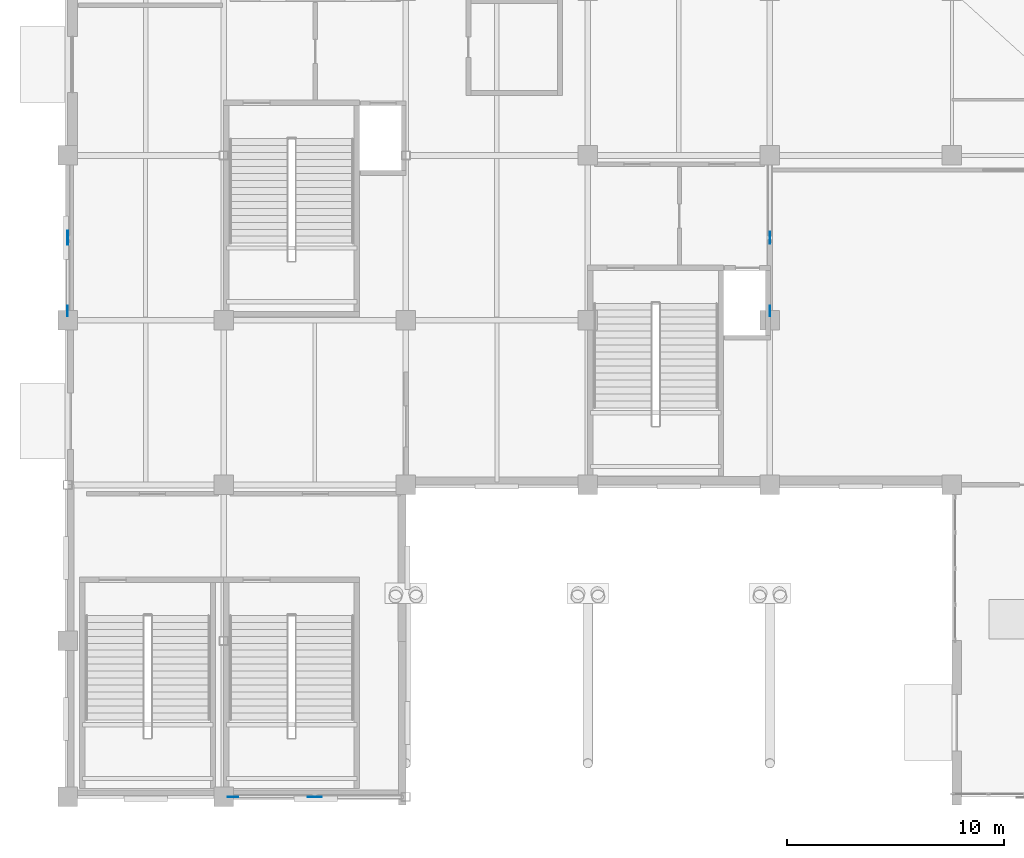
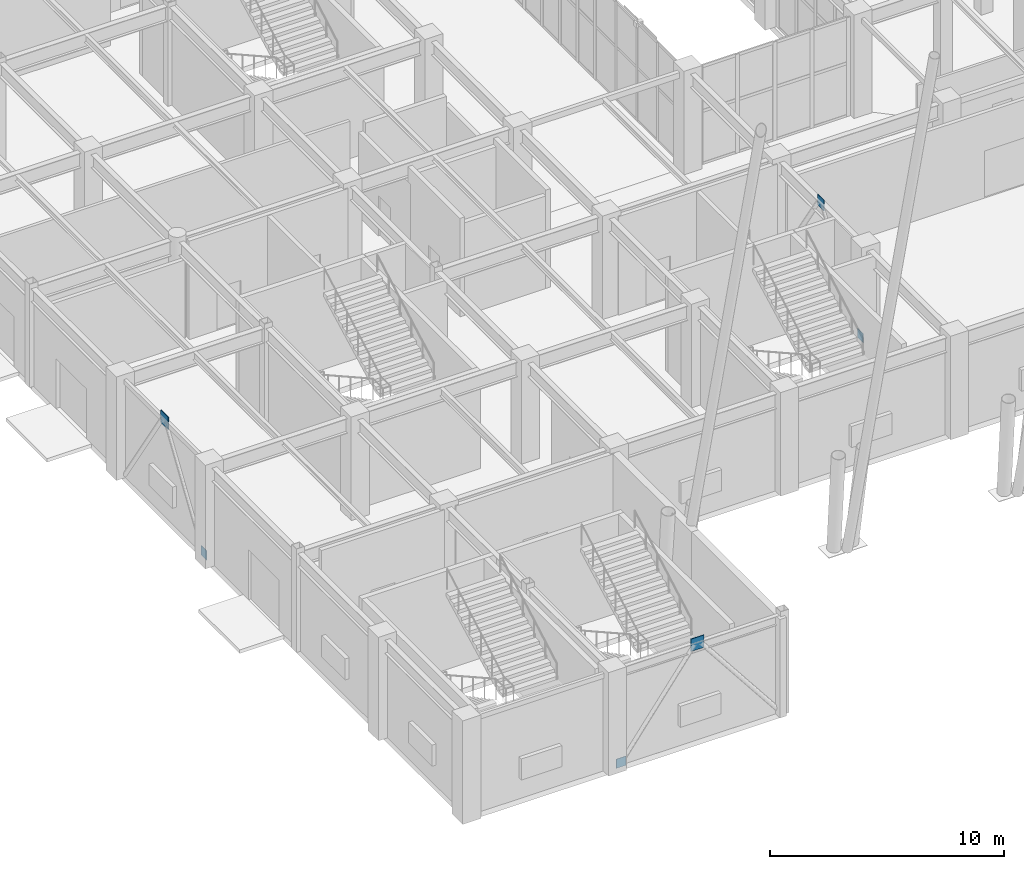
# One storey, part 114 of 139: 6 plates.
"""IFC4 building model written with IfcOpenShell, lengths in metres."""

from ifc_helpers import new_model, si_unit, direction, frame, origin, origin_2d, place, context, subcontext, project, spatial, rectangle, extrude, material, layer, layer_set, type_object, element, save


model = new_model("IFC4")

# Units and contexts
model_context = context("Model", 3, precision=1e-05, world=origin(), true_north=direction((0.0, 1.0)))
body_context = subcontext(model_context, "Body", "Model", "MODEL_VIEW")
ifc_project = project(units=[si_unit("LENGTHUNIT", "METRE"), si_unit("AREAUNIT", "SQUARE_METRE"), si_unit("VOLUMEUNIT", "CUBIC_METRE"), si_unit("PLANEANGLEUNIT", "RADIAN"), si_unit("MASSUNIT", "GRAM", prefix="KILO")], contexts=[model_context])

# Site, building, storey
site_placement = place(None, origin())
site = spatial("IfcSite", under=ifc_project, at=site_placement, CompositionType="ELEMENT")
building_placement = place(site_placement, origin())
building = spatial("IfcBuilding", under=site, at=building_placement, Name="Xicomal Pleat Aquarium", CompositionType="ELEMENT")
storey_placement = place(building_placement, origin())
storey = spatial("IfcBuildingStorey", under=building, at=storey_placement, Name="L01", CompositionType="ELEMENT", Elevation=0.0)

# Plates
ifc_material_1 = material(Name="Structural steel A992 Gr 50", Category="steel")
ifc_layer_1 = layer(ifc_material_1, 0.02001953125)
ifc_layer_set_1 = layer_set([ifc_layer_1], Name="Structural steel A992 Gr 50")
plate_type_1 = type_object("IfcPlateType", Name="PLT-CAP-20", PredefinedType="SHEET", material=ifc_layer_set_1)
for number, where, z_axis, x_axis, name in (
    (1, (3.0, 23.22998046875, -0.090087890625), (0.0, 0.0, 1.0), (0.0, 1.0, 0.0), "L01 HSS end cap plate 2"),
    (2, (35.39990234375, 23.22998046875, -0.090087890625), (0.0, 0.0, 1.0), (0.0, 1.0, 0.0), "L01 HSS end cap plate 12"),
    (3, (10.6298828125, 0.800048828125, -0.090087890625), (0.0, 0.0, 1.0), (1.0, 0.0, 0.0), "L01 HSS end cap plate 32"),
):
    element("IfcPlate", number, at=place(storey_placement, frame(where, z_axis=z_axis, x_axis=x_axis)), inside=storey, type_object=plate_type_1, Name=name, PredefinedType="SHEET", context=body_context, shape_type="SweptSolid", body=[
        extrude(rectangle(XDim=0.47998046875, YDim=0.02001953125, at=origin_2d()), origin(), (0.0, 0.0, 1.0), 0.47998046875),
    ])
ifc_material_2 = material(Name="Structural steel A992 Gr 50", Category="steel")
ifc_layer_2 = layer(ifc_material_2, 0.02490234375)
ifc_layer_set_2 = layer_set([ifc_layer_2], Name="Structural steel A992 Gr 50")
plate_type_2 = type_object("IfcPlateType", Name="PLT-GUS-25", PredefinedType="USERDEFINED", material=ifc_layer_set_2)
plate_placement = place(storey_placement, frame((35.39990234375, 26.60009765625, 4.77490234375), z_axis=(0.0, 0.0, 1.0), x_axis=(0.0, 1.0, 0.0)))
element("IfcPlate", 4, at=plate_placement, inside=storey, type_object=plate_type_2, Name="L01 chevron gusset node plate 12", ObjectType="GUSSET PLATE", PredefinedType="USERDEFINED", context=body_context, shape_type="SweptSolid", body=[
    extrude(rectangle(XDim=0.550048828125, YDim=0.02490234375, at=origin_2d()), origin(), (0.0, 0.0, 1.0), 0.550048828125),
])
ifc_material_3 = material(Name="Structural steel A992 Gr 50", Category="steel")
ifc_layer_3 = layer(ifc_material_3, 0.034912109375)
ifc_layer_set_3 = layer_set([ifc_layer_3], Name="Structural steel A992 Gr 50")
plate_type_3 = type_object("IfcPlateType", Name="PLT-GUS-35", PredefinedType="USERDEFINED", material=ifc_layer_set_3)
for number, where, z_axis, x_axis, name in (
    (5, (3.0, 26.60009765625, 4.72509765625), (0.0, 0.0, 1.0), (0.0, 1.0, 0.0), "L01 chevron gusset node plate 2"),
    (6, (14.39990234375, 0.800048828125, 4.72509765625), (0.0, 0.0, 1.0), (1.0, 0.0, 0.0), "L01 chevron gusset node plate 32"),
):
    element("IfcPlate", number, at=place(storey_placement, frame(where, z_axis=z_axis, x_axis=x_axis)), inside=storey, type_object=plate_type_3, Name=name, ObjectType="GUSSET PLATE", PredefinedType="USERDEFINED", context=body_context, shape_type="SweptSolid", body=[
        extrude(rectangle(XDim=0.64990234375, YDim=0.034912109375, at=origin_2d()), origin(), (0.0, 0.0, 1.0), 0.64990234375),
    ])

save(model, "model.ifc")
